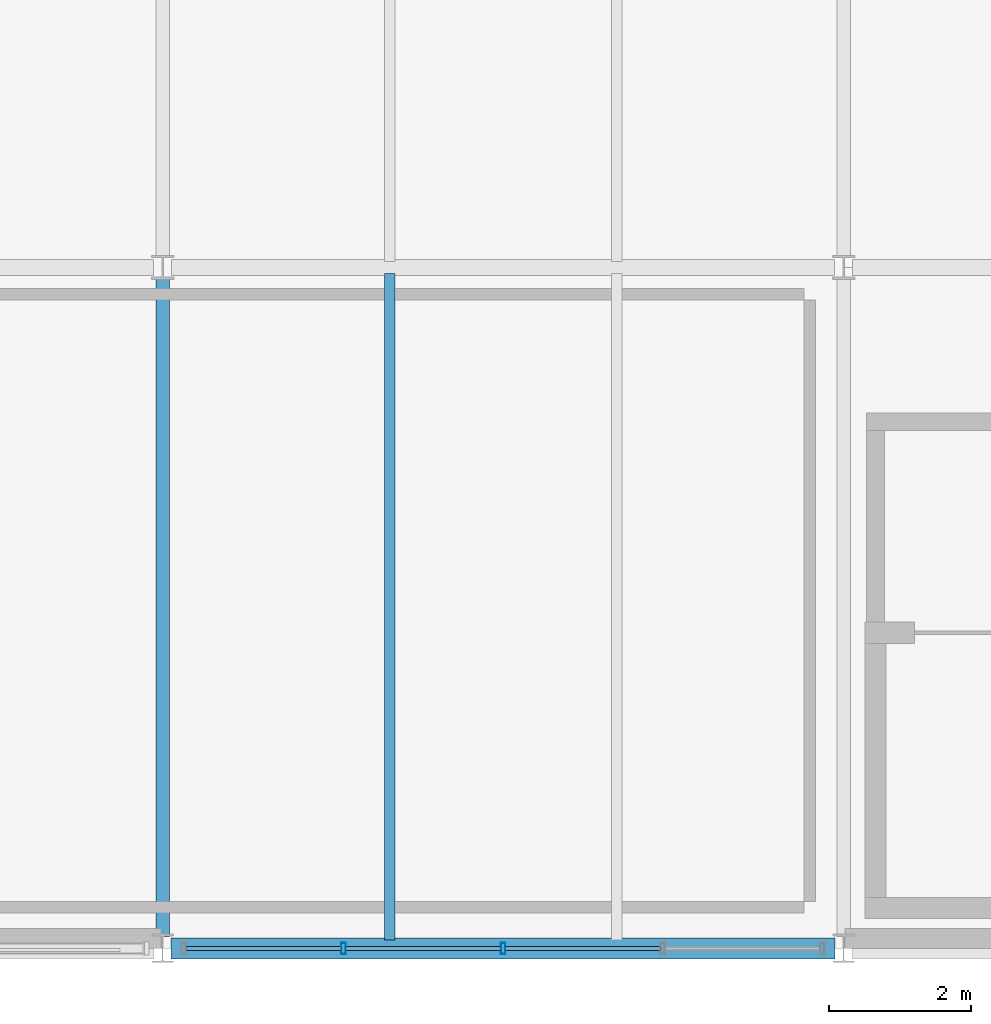
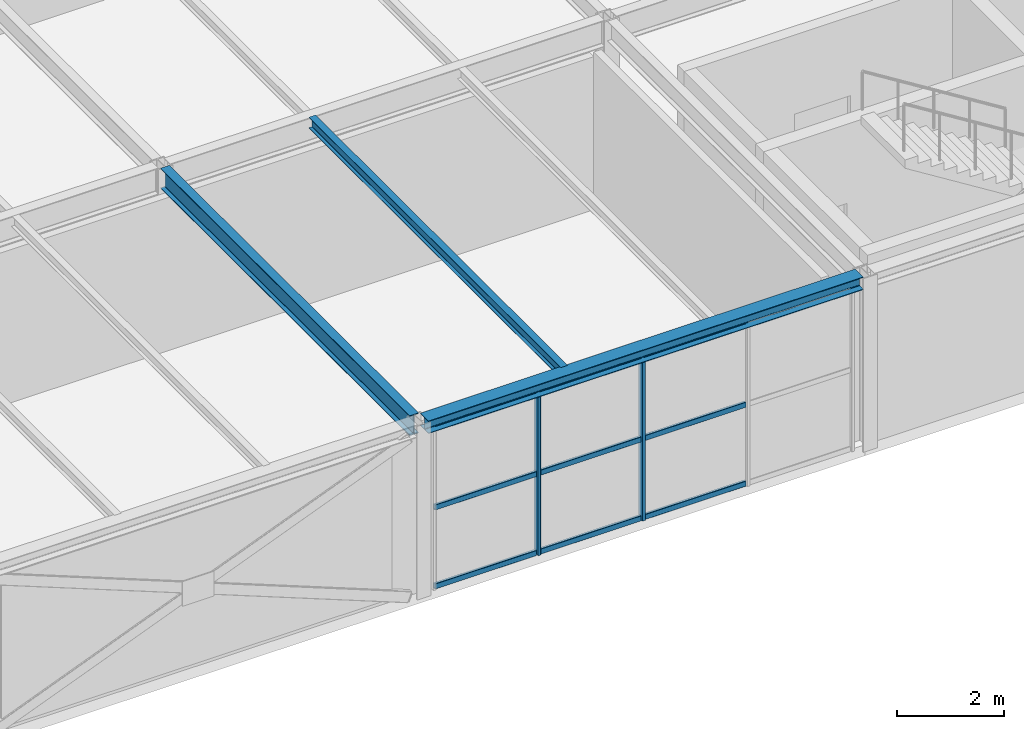
# One storey, part 10 of 126: 11 members, 3 beams, 1 element without a shape of its own.
"""IFC4 building model written with IfcOpenShell, lengths in metres."""

from ifc_helpers import new_model, si_unit, direction, frame, origin, origin_2d, place, context, subcontext, project, spatial, hollow_rectangle, i_section, extrude, material, material_profile, profile_set, type_object, element, aggregate, save


model = new_model("IFC4")

# Units and contexts
model_context = context("Model", 3, precision=1e-05, world=origin(), true_north=direction((0.0, 1.0)))
body_context = subcontext(model_context, "Body", "Model", "MODEL_VIEW")
ifc_project = project(units=[si_unit("LENGTHUNIT", "METRE"), si_unit("AREAUNIT", "SQUARE_METRE"), si_unit("VOLUMEUNIT", "CUBIC_METRE"), si_unit("PLANEANGLEUNIT", "RADIAN"), si_unit("MASSUNIT", "GRAM", prefix="KILO")], contexts=[model_context])

# Site, building, storey
site_placement = place(None, origin())
site = spatial("IfcSite", under=ifc_project, at=site_placement, CompositionType="ELEMENT")
building_placement = place(site_placement, origin())
building = spatial("IfcBuilding", under=site, at=building_placement, Name="Coralgate Yard Interchange", CompositionType="ELEMENT")
storey_placement = place(building_placement, frame((0.0, 0.0, 10.5)))
storey = spatial("IfcBuildingStorey", under=building, at=storey_placement, Name="L02", CompositionType="ELEMENT", Elevation=10.5)

# Beams
ifc_material_1 = material(Name="Structural steel S355J2", Category="steel")
ifc_material_profile_1 = material_profile(ifc_material_1, i_section(OverallWidth=0.1904296875, OverallDepth=0.45703125, WebThickness=0.009033203125, FlangeThickness=0.014404296875, FilletRadius=0.01025390625, at=origin_2d()), Name="UB 457x191x74")
ifc_profile_set_1 = profile_set([ifc_material_profile_1], Name="Structural steel S355J2")
beam_type_1 = type_object("IfcBeamType", Name="BM-SB-2", PredefinedType="BEAM", material=ifc_profile_set_1)
beam_1_placement = place(storey_placement, frame((9.60009765625, 0.169921875, 3.721435546875), z_axis=(0.0, 1.0, 0.0), x_axis=(-1.0, 0.0, 0.0)))
element("IfcBeam", 1, at=beam_1_placement, inside=storey, type_object=beam_type_1, Name="L02 primary grid girder X1 Y0-1", PredefinedType="BEAM", context=body_context, shape_type="SweptSolid", body=[
    extrude(i_section(OverallWidth=0.1904296875, OverallDepth=0.45703125, WebThickness=0.009033203125, FlangeThickness=0.014404296875, FilletRadius=0.01025390625, at=origin_2d()), origin(), (0.0, 0.0, 1.0), 9.2900390625),
])
ifc_material_profile_2 = material_profile(ifc_material_1, i_section(OverallWidth=0.14599609375, OverallDepth=0.25146484375, WebThickness=0.006103515625, FlangeThickness=0.008544921875, FilletRadius=0.007568359375, at=origin_2d()), Name="UB 254x146x31")
ifc_profile_set_2 = profile_set([ifc_material_profile_2], Name="Structural steel S355J2")
beam_type_2 = type_object("IfcBeamType", Name="BM-SJ-2", PredefinedType="JOIST", material=ifc_profile_set_2)
beam_2_placement = place(storey_placement, frame((12.800048828125, 0.1201171875, 3.82421875), z_axis=(0.0, 1.0, 0.0), x_axis=(-1.0, 0.0, 0.0)))
element("IfcBeam", 2, at=beam_2_placement, inside=storey, type_object=beam_type_2, Name="L02 composite floor joist 1-0-1", PredefinedType="JOIST", context=body_context, shape_type="SweptSolid", body=[
    extrude(i_section(OverallWidth=0.14599609375, OverallDepth=0.25146484375, WebThickness=0.006103515625, FlangeThickness=0.008544921875, FilletRadius=0.007568359375, at=origin_2d()), origin(), (0.0, 0.0, 1.0), 9.395751953125),
])
ifc_material_profile_3 = material_profile(ifc_material_1, i_section(OverallWidth=0.300048828125, OverallDepth=0.2900390625, WebThickness=0.008544921875, FlangeThickness=0.013916015625, FilletRadius=0.027099609375, at=origin_2d()), Name="HEA 300")
ifc_profile_set_3 = profile_set([ifc_material_profile_3], Name="Structural steel S355J2")
beam_type_3 = type_object("IfcBeamType", Name="BM-SP-2", PredefinedType="SPANDREL", material=ifc_profile_set_3)
beam_3_placement = place(storey_placement, frame((9.719970703125, 0.0, 3.804931640625), z_axis=(1.0, 0.0, 0.0), x_axis=(0.0, 1.0, 0.0)))
element("IfcBeam", 3, at=beam_3_placement, inside=storey, type_object=beam_type_3, Name="L02 primary grid beam Y0 X1-2", PredefinedType="SPANDREL", context=body_context, shape_type="SweptSolid", body=[
    extrude(i_section(OverallWidth=0.300048828125, OverallDepth=0.2900390625, WebThickness=0.008544921875, FlangeThickness=0.013916015625, FilletRadius=0.027099609375, at=origin_2d()), origin(), (0.0, 0.0, 1.0), 9.360107421875),
])

# Curtain wall, members
ifc_material_2 = material(Name="Anodised coastal aluminium and solar-control low-E glass", Category="aluminium")
curtain_wall_type = type_object("IfcCurtainWallType", Name="CW-CW-L02-A", PredefinedType="NOTDEFINED", material=ifc_material_2)
curtain_wall_placement = place(storey_placement, origin())
curtain_wall = element("IfcCurtainWall", 4, at=curtain_wall_placement, inside=storey, type_object=curtain_wall_type, Name="L02 unitised curtain wall CW-L02-S-01-00", PredefinedType="NOTDEFINED")
ifc_material_3 = material(Name="Anodised coastal aluminium 6063-T6", Category="aluminium")
ifc_material_profile_4 = material_profile(ifc_material_3, hollow_rectangle(XDim=0.06494140625, YDim=0.159912109375, WallThickness=0.00390625, InnerFilletRadius=0.00390625, OuterFilletRadius=0.008056640625, at=origin_2d()), Name="ALU 65x160x4")
ifc_profile_set_4 = profile_set([ifc_material_profile_4], Name="Anodised coastal aluminium 6063-T6")
member_type_1 = type_object("IfcMemberType", Name="MB-MUL-160", PredefinedType="MULLION", material=ifc_profile_set_4)
member_1_placement = place(storey_placement, frame((14.39990234375, 0.0, 0.0), z_axis=(0.0, 0.0, 1.0), x_axis=(1.0, 0.0, 0.0)))
member_1 = element("IfcMember", 5, at=member_1_placement, type_object=member_type_1, Name="CW-L02-S-01-00 vertical mullion 3", PredefinedType="MULLION", context=body_context, shape_type="SweptSolid", body=[
    extrude(hollow_rectangle(XDim=0.06494140625, YDim=0.159912109375, WallThickness=0.00390625, InnerFilletRadius=0.00390625, OuterFilletRadius=0.008056640625, at=origin_2d()), origin(), (0.0, 0.0, 1.0), 3.659912109375),
])
member_2_placement = place(storey_placement, frame((12.14990234375, 0.0, 0.0), z_axis=(0.0, 0.0, 1.0), x_axis=(1.0, 0.0, 0.0)))
member_2 = element("IfcMember", 6, at=member_2_placement, type_object=member_type_1, Name="CW-L02-S-01-00 vertical mullion 4", PredefinedType="MULLION", context=body_context, shape_type="SweptSolid", body=[
    extrude(hollow_rectangle(XDim=0.06494140625, YDim=0.159912109375, WallThickness=0.00390625, InnerFilletRadius=0.00390625, OuterFilletRadius=0.008056640625, at=origin_2d()), origin(), (0.0, 0.0, 1.0), 3.659912109375),
])
ifc_material_profile_5 = material_profile(ifc_material_3, hollow_rectangle(XDim=0.06005859375, YDim=0.1201171875, WallThickness=0.00341796875, InnerFilletRadius=0.00341796875, OuterFilletRadius=0.007080078125, at=origin_2d()), Name="ALU 60x120x3.5")
ifc_profile_set_5 = profile_set([ifc_material_profile_5], Name="Anodised coastal aluminium 6063-T6")
member_type_2 = type_object("IfcMemberType", Name="MB-TRN-120", PredefinedType="USERDEFINED", material=ifc_profile_set_5)
member_3_placement = place(storey_placement, frame((16.6201171875, 0.0, 0.034912109375), z_axis=(-1.0, 0.0, 0.0), x_axis=(0.0, -1.0, 0.0)))
member_3 = element("IfcMember", 7, at=member_3_placement, type_object=member_type_2, Name="CW-L02-S-01-00 horizontal transom 2-1", ObjectType="TRANSOM", PredefinedType="USERDEFINED", context=body_context, shape_type="SweptSolid", body=[
    extrude(hollow_rectangle(XDim=0.06005859375, YDim=0.1201171875, WallThickness=0.00341796875, InnerFilletRadius=0.00341796875, OuterFilletRadius=0.007080078125, at=origin_2d()), origin(), (0.0, 0.0, 1.0), 2.190185546875),
])
member_4_placement = place(storey_placement, frame((16.6201171875, 0.0, 1.830078125), z_axis=(-1.0, 0.0, 0.0), x_axis=(0.0, -1.0, 0.0)))
member_4 = element("IfcMember", 8, at=member_4_placement, type_object=member_type_2, Name="CW-L02-S-01-00 horizontal transom 2-2", ObjectType="TRANSOM", PredefinedType="USERDEFINED", context=body_context, shape_type="SweptSolid", body=[
    extrude(hollow_rectangle(XDim=0.06005859375, YDim=0.1201171875, WallThickness=0.00341796875, InnerFilletRadius=0.00341796875, OuterFilletRadius=0.007080078125, at=origin_2d()), origin(), (0.0, 0.0, 1.0), 2.190185546875),
])
member_5_placement = place(storey_placement, frame((16.6201171875, 0.0, 3.625), z_axis=(-1.0, 0.0, 0.0), x_axis=(0.0, -1.0, 0.0)))
member_5 = element("IfcMember", 9, at=member_5_placement, type_object=member_type_2, Name="CW-L02-S-01-00 horizontal transom 2-3", ObjectType="TRANSOM", PredefinedType="USERDEFINED", context=body_context, shape_type="SweptSolid", body=[
    extrude(hollow_rectangle(XDim=0.06005859375, YDim=0.1201171875, WallThickness=0.00341796875, InnerFilletRadius=0.00341796875, OuterFilletRadius=0.007080078125, at=origin_2d()), origin(), (0.0, 0.0, 1.0), 2.190185546875),
])
member_6_placement = place(storey_placement, frame((14.3701171875, 0.0, 0.034912109375), z_axis=(-1.0, 0.0, 0.0), x_axis=(0.0, -1.0, 0.0)))
member_6 = element("IfcMember", 10, at=member_6_placement, type_object=member_type_2, Name="CW-L02-S-01-00 horizontal transom 3-1", ObjectType="TRANSOM", PredefinedType="USERDEFINED", context=body_context, shape_type="SweptSolid", body=[
    extrude(hollow_rectangle(XDim=0.06005859375, YDim=0.1201171875, WallThickness=0.00341796875, InnerFilletRadius=0.00341796875, OuterFilletRadius=0.007080078125, at=origin_2d()), origin(), (0.0, 0.0, 1.0), 2.190185546875),
])
member_7_placement = place(storey_placement, frame((14.3701171875, 0.0, 1.830078125), z_axis=(-1.0, 0.0, 0.0), x_axis=(0.0, -1.0, 0.0)))
member_7 = element("IfcMember", 11, at=member_7_placement, type_object=member_type_2, Name="CW-L02-S-01-00 horizontal transom 3-2", ObjectType="TRANSOM", PredefinedType="USERDEFINED", context=body_context, shape_type="SweptSolid", body=[
    extrude(hollow_rectangle(XDim=0.06005859375, YDim=0.1201171875, WallThickness=0.00341796875, InnerFilletRadius=0.00341796875, OuterFilletRadius=0.007080078125, at=origin_2d()), origin(), (0.0, 0.0, 1.0), 2.190185546875),
])
member_8_placement = place(storey_placement, frame((14.3701171875, 0.0, 3.625), z_axis=(-1.0, 0.0, 0.0), x_axis=(0.0, -1.0, 0.0)))
member_8 = element("IfcMember", 12, at=member_8_placement, type_object=member_type_2, Name="CW-L02-S-01-00 horizontal transom 3-3", ObjectType="TRANSOM", PredefinedType="USERDEFINED", context=body_context, shape_type="SweptSolid", body=[
    extrude(hollow_rectangle(XDim=0.06005859375, YDim=0.1201171875, WallThickness=0.00341796875, InnerFilletRadius=0.00341796875, OuterFilletRadius=0.007080078125, at=origin_2d()), origin(), (0.0, 0.0, 1.0), 2.190185546875),
])
member_9_placement = place(storey_placement, frame((12.1201171875, 0.0, 0.034912109375), z_axis=(-1.0, 0.0, 0.0), x_axis=(0.0, -1.0, 0.0)))
member_9 = element("IfcMember", 13, at=member_9_placement, type_object=member_type_2, Name="CW-L02-S-01-00 horizontal transom 4-1", ObjectType="TRANSOM", PredefinedType="USERDEFINED", context=body_context, shape_type="SweptSolid", body=[
    extrude(hollow_rectangle(XDim=0.06005859375, YDim=0.1201171875, WallThickness=0.00341796875, InnerFilletRadius=0.00341796875, OuterFilletRadius=0.007080078125, at=origin_2d()), origin(), (0.0, 0.0, 1.0), 2.190185546875),
])
member_10_placement = place(storey_placement, frame((12.1201171875, 0.0, 1.830078125), z_axis=(-1.0, 0.0, 0.0), x_axis=(0.0, -1.0, 0.0)))
member_10 = element("IfcMember", 14, at=member_10_placement, type_object=member_type_2, Name="CW-L02-S-01-00 horizontal transom 4-2", ObjectType="TRANSOM", PredefinedType="USERDEFINED", context=body_context, shape_type="SweptSolid", body=[
    extrude(hollow_rectangle(XDim=0.06005859375, YDim=0.1201171875, WallThickness=0.00341796875, InnerFilletRadius=0.00341796875, OuterFilletRadius=0.007080078125, at=origin_2d()), origin(), (0.0, 0.0, 1.0), 2.190185546875),
])
member_11_placement = place(storey_placement, frame((12.1201171875, 0.0, 3.625), z_axis=(-1.0, 0.0, 0.0), x_axis=(0.0, -1.0, 0.0)))
member_11 = element("IfcMember", 15, at=member_11_placement, type_object=member_type_2, Name="CW-L02-S-01-00 horizontal transom 4-3", ObjectType="TRANSOM", PredefinedType="USERDEFINED", context=body_context, shape_type="SweptSolid", body=[
    extrude(hollow_rectangle(XDim=0.06005859375, YDim=0.1201171875, WallThickness=0.00341796875, InnerFilletRadius=0.00341796875, OuterFilletRadius=0.007080078125, at=origin_2d()), origin(), (0.0, 0.0, 1.0), 2.190185546875),
])
aggregate(curtain_wall, [member_1, member_2, member_3, member_4, member_5, member_6, member_7, member_8, member_9, member_10, member_11])

save(model, "model.ifc")
